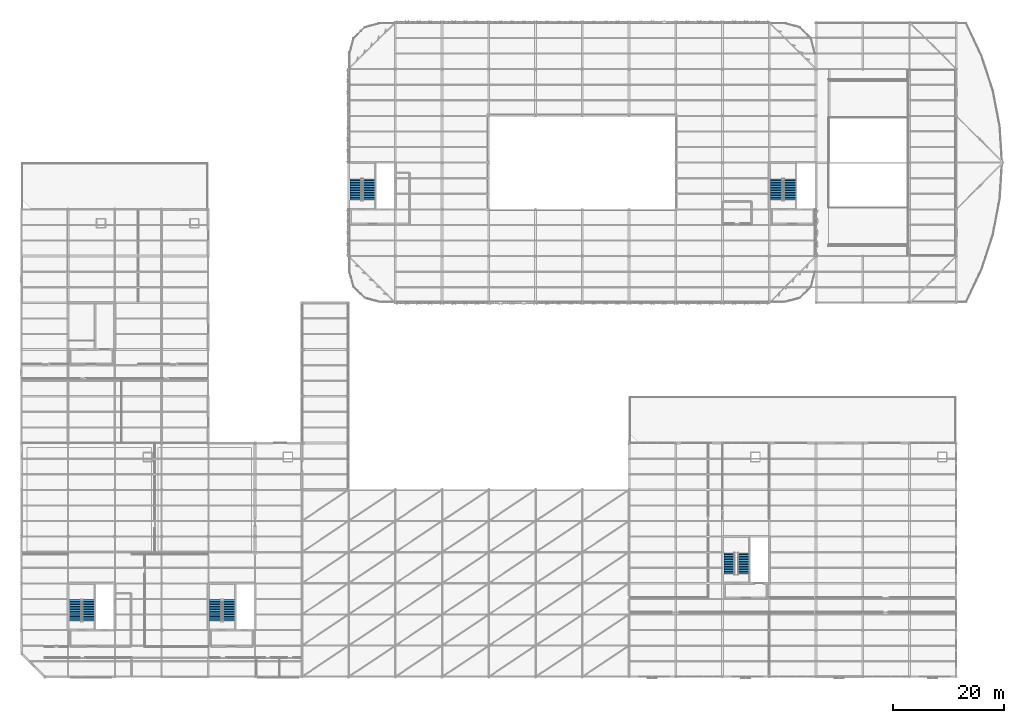
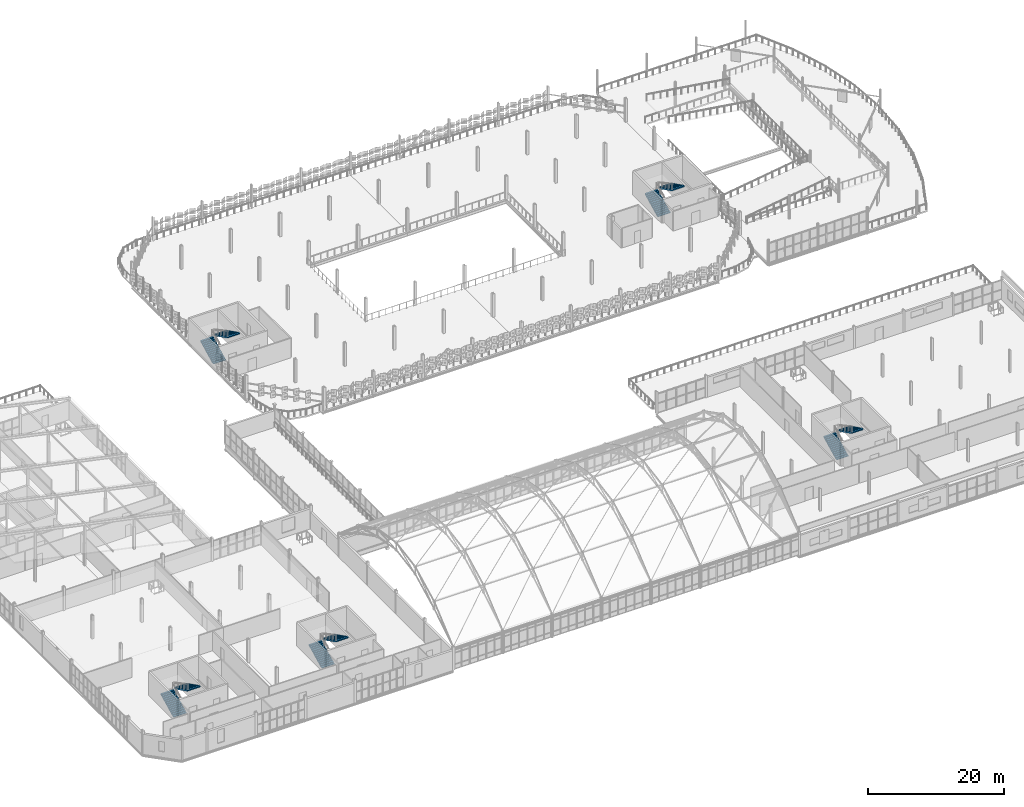
# One storey, part 160 of 184: 10 stair flights, 5 elements without a shape of their own.
"""IFC4 building model written with IfcOpenShell, lengths in metres."""

from ifc_helpers import new_model, si_unit, direction, frame, origin, place, context, subcontext, project, spatial, polyline, outline, extrude, material, type_object, element, aggregate, save


model = new_model("IFC4")

# Units and contexts
model_context = context("Model", 3, precision=1e-05, world=origin(), true_north=direction((0.0, 1.0)))
body_context = subcontext(model_context, "Body", "Model", "MODEL_VIEW")
ifc_project = project(units=[si_unit("LENGTHUNIT", "METRE"), si_unit("AREAUNIT", "SQUARE_METRE"), si_unit("VOLUMEUNIT", "CUBIC_METRE"), si_unit("PLANEANGLEUNIT", "RADIAN"), si_unit("MASSUNIT", "GRAM", prefix="KILO")], contexts=[model_context])

# Site, building, storey
site_placement = place(None, origin())
site = spatial("IfcSite", under=ifc_project, at=site_placement, CompositionType="ELEMENT")
building_placement = place(site_placement, origin())
building = spatial("IfcBuilding", under=site, at=building_placement, Name="Qalvenar Corner Mobility Hub", CompositionType="ELEMENT")
storey_placement = place(building_placement, frame((0.0, 0.0, 9.0)))
storey = spatial("IfcBuildingStorey", under=building, at=storey_placement, Name="L02", CompositionType="ELEMENT", Elevation=9.0)

# Stair, stair flights
ifc_material = material(Name="Concrete C35/45", Category="concrete")
stair_type_1 = type_object("IfcStairType", Name="STR-200-H42", PredefinedType="HALF_TURN_STAIR", material=ifc_material)
stair_1_placement = place(storey_placement, origin())
stair_1 = element("IfcStair", 1, at=stair_1_placement, inside=storey, type_object=stair_type_1, Name="Exit Stair ST2 L02-L03", PredefinedType="HALF_TURN_STAIR")
stair_flight_type_1 = type_object("IfcStairFlightType", Name="SFL-200-R14", PredefinedType="STRAIGHT", material=ifc_material)
stair_flight_1_placement = place(storey_placement, frame((34.89501953125, 9.949951171875, 0.0), z_axis=(0.0, 0.0, 1.0), x_axis=(0.0, 1.0, 0.0)))
stair_flight_1 = element("IfcStairFlight", 2, at=stair_flight_1_placement, type_object=stair_flight_type_1, Name="ST2 flight 1", NumberOfRisers=14, NumberOfTreads=13, PredefinedType="STRAIGHT", RiserHeight=0.15, TreadLength=0.3, context=body_context, shape_type="SweptSolid", body=[
    extrude(outline(polyline([(0.0, 0.0), (0.0, 0.14990234375), (0.300048828125, 0.14990234375), (0.300048828125, 0.300048828125), (0.60009765625, 0.300048828125), (0.60009765625, 0.449951171875), (0.89990234375, 0.449951171875), (0.89990234375, 0.60009765625), (1.199951171875, 0.60009765625), (1.199951171875, 0.75), (1.5, 0.75), (1.5, 0.89990234375), (1.800048828125, 0.89990234375), (1.800048828125, 1.050048828125), (2.10009765625, 1.050048828125), (2.10009765625, 1.199951171875), (2.39990234375, 1.199951171875), (2.39990234375, 1.35009765625), (2.699951171875, 1.35009765625), (2.699951171875, 1.5), (3.0, 1.5), (3.0, 1.64990234375), (3.300048828125, 1.64990234375), (3.300048828125, 1.800048828125), (3.60009765625, 1.800048828125), (3.60009765625, 1.949951171875), (3.89990234375, 1.949951171875), (3.89990234375, 2.10009765625), (3.89990234375, 1.748779296875), (0.40234375, 0.0), (0.0, 0.0)])), frame((0.0, 1.074951171875, 0.0), z_axis=(0.0, -1.0, 0.0), x_axis=(1.0, 0.0, 0.0)), (0.0, 0.0, 1.0), 2.14990234375),
])
stair_flight_2_placement = place(storey_placement, frame((37.284912109375, 13.85009765625, 2.10009765625), z_axis=(0.0, 0.0, 1.0), x_axis=(0.0, -1.0, 0.0)))
stair_flight_2 = element("IfcStairFlight", 3, at=stair_flight_2_placement, type_object=stair_flight_type_1, Name="ST2 flight 2", NumberOfRisers=14, NumberOfTreads=13, PredefinedType="STRAIGHT", RiserHeight=0.15, TreadLength=0.3, context=body_context, shape_type="SweptSolid", body=[
    extrude(outline(polyline([(0.0, 0.0), (0.0, 0.14990234375), (0.300048828125, 0.14990234375), (0.300048828125, 0.300048828125), (0.60009765625, 0.300048828125), (0.60009765625, 0.449951171875), (0.89990234375, 0.449951171875), (0.89990234375, 0.60009765625), (1.199951171875, 0.60009765625), (1.199951171875, 0.75), (1.5, 0.75), (1.5, 0.89990234375), (1.800048828125, 0.89990234375), (1.800048828125, 1.050048828125), (2.10009765625, 1.050048828125), (2.10009765625, 1.199951171875), (2.39990234375, 1.199951171875), (2.39990234375, 1.35009765625), (2.699951171875, 1.35009765625), (2.699951171875, 1.5), (3.0, 1.5), (3.0, 1.64990234375), (3.300048828125, 1.64990234375), (3.300048828125, 1.800048828125), (3.60009765625, 1.800048828125), (3.60009765625, 1.949951171875), (3.89990234375, 1.949951171875), (3.89990234375, 2.10009765625), (3.89990234375, 1.748779296875), (0.40234375, 0.0), (0.0, 0.0)])), frame((0.0, 1.074951171875, 0.0), z_axis=(0.0, -1.0, 0.0), x_axis=(1.0, 0.0, 0.0)), (0.0, 0.0, 1.0), 2.14990234375),
])
aggregate(stair_1, [stair_flight_1, stair_flight_2])

stair_2_placement = place(storey_placement, origin())
stair_2 = element("IfcStair", 4, at=stair_2_placement, inside=storey, type_object=stair_type_1, Name="Exit Stair ST3 L02-L03", PredefinedType="HALF_TURN_STAIR")
stair_flight_3_placement = place(storey_placement, frame((60.094970703125, 85.550048828125, 0.0), z_axis=(0.0, 0.0, 1.0), x_axis=(0.0, 1.0, 0.0)))
stair_flight_3 = element("IfcStairFlight", 5, at=stair_flight_3_placement, type_object=stair_flight_type_1, Name="ST3 flight 1", NumberOfRisers=14, NumberOfTreads=13, PredefinedType="STRAIGHT", RiserHeight=0.15, TreadLength=0.3, context=body_context, shape_type="SweptSolid", body=[
    extrude(outline(polyline([(0.0, 0.0), (0.0, 0.14990234375), (0.300048828125, 0.14990234375), (0.300048828125, 0.300048828125), (0.60009765625, 0.300048828125), (0.60009765625, 0.449951171875), (0.89990234375, 0.449951171875), (0.89990234375, 0.60009765625), (1.199951171875, 0.60009765625), (1.199951171875, 0.75), (1.5, 0.75), (1.5, 0.89990234375), (1.800048828125, 0.89990234375), (1.800048828125, 1.050048828125), (2.10009765625, 1.050048828125), (2.10009765625, 1.199951171875), (2.39990234375, 1.199951171875), (2.39990234375, 1.35009765625), (2.699951171875, 1.35009765625), (2.699951171875, 1.5), (3.0, 1.5), (3.0, 1.64990234375), (3.300048828125, 1.64990234375), (3.300048828125, 1.800048828125), (3.60009765625, 1.800048828125), (3.60009765625, 1.949951171875), (3.89990234375, 1.949951171875), (3.89990234375, 2.10009765625), (3.89990234375, 1.748779296875), (0.40234375, 0.0), (0.0, 0.0)])), frame((0.0, 1.074951171875, 0.0), z_axis=(0.0, -1.0, 0.0), x_axis=(1.0, 0.0, 0.0)), (0.0, 0.0, 1.0), 2.14990234375),
])
stair_flight_4_placement = place(storey_placement, frame((62.485107421875, 89.449951171875, 2.10009765625), z_axis=(0.0, 0.0, 1.0), x_axis=(0.0, -1.0, 0.0)))
stair_flight_4 = element("IfcStairFlight", 6, at=stair_flight_4_placement, type_object=stair_flight_type_1, Name="ST3 flight 2", NumberOfRisers=14, NumberOfTreads=13, PredefinedType="STRAIGHT", RiserHeight=0.15, TreadLength=0.3, context=body_context, shape_type="SweptSolid", body=[
    extrude(outline(polyline([(0.0, 0.0), (0.0, 0.14990234375), (0.300048828125, 0.14990234375), (0.300048828125, 0.300048828125), (0.60009765625, 0.300048828125), (0.60009765625, 0.449951171875), (0.89990234375, 0.449951171875), (0.89990234375, 0.60009765625), (1.199951171875, 0.60009765625), (1.199951171875, 0.75), (1.5, 0.75), (1.5, 0.89990234375), (1.800048828125, 0.89990234375), (1.800048828125, 1.050048828125), (2.10009765625, 1.050048828125), (2.10009765625, 1.199951171875), (2.39990234375, 1.199951171875), (2.39990234375, 1.35009765625), (2.699951171875, 1.35009765625), (2.699951171875, 1.5), (3.0, 1.5), (3.0, 1.64990234375), (3.300048828125, 1.64990234375), (3.300048828125, 1.800048828125), (3.60009765625, 1.800048828125), (3.60009765625, 1.949951171875), (3.89990234375, 1.949951171875), (3.89990234375, 2.10009765625), (3.89990234375, 1.748779296875), (0.40234375, 0.0), (0.0, 0.0)])), frame((0.0, 1.074951171875, 0.0), z_axis=(0.0, -1.0, 0.0), x_axis=(1.0, 0.0, 0.0)), (0.0, 0.0, 1.0), 2.14990234375),
])
aggregate(stair_2, [stair_flight_3, stair_flight_4])

stair_3_placement = place(storey_placement, origin())
stair_3 = element("IfcStair", 7, at=stair_3_placement, inside=storey, type_object=stair_type_1, Name="Exit Stair ST4 L02-L03", PredefinedType="HALF_TURN_STAIR")
stair_flight_5_placement = place(storey_placement, frame((135.695068359375, 85.550048828125, 0.0), z_axis=(0.0, 0.0, 1.0), x_axis=(0.0, 1.0, 0.0)))
stair_flight_5 = element("IfcStairFlight", 8, at=stair_flight_5_placement, type_object=stair_flight_type_1, Name="ST4 flight 1", NumberOfRisers=14, NumberOfTreads=13, PredefinedType="STRAIGHT", RiserHeight=0.15, TreadLength=0.3, context=body_context, shape_type="SweptSolid", body=[
    extrude(outline(polyline([(0.0, 0.0), (0.0, 0.14990234375), (0.300048828125, 0.14990234375), (0.300048828125, 0.300048828125), (0.60009765625, 0.300048828125), (0.60009765625, 0.449951171875), (0.89990234375, 0.449951171875), (0.89990234375, 0.60009765625), (1.199951171875, 0.60009765625), (1.199951171875, 0.75), (1.5, 0.75), (1.5, 0.89990234375), (1.800048828125, 0.89990234375), (1.800048828125, 1.050048828125), (2.10009765625, 1.050048828125), (2.10009765625, 1.199951171875), (2.39990234375, 1.199951171875), (2.39990234375, 1.35009765625), (2.699951171875, 1.35009765625), (2.699951171875, 1.5), (3.0, 1.5), (3.0, 1.64990234375), (3.300048828125, 1.64990234375), (3.300048828125, 1.800048828125), (3.60009765625, 1.800048828125), (3.60009765625, 1.949951171875), (3.89990234375, 1.949951171875), (3.89990234375, 2.10009765625), (3.89990234375, 1.748779296875), (0.40234375, 0.0), (0.0, 0.0)])), frame((0.0, 1.074951171875, 0.0), z_axis=(0.0, -1.0, 0.0), x_axis=(1.0, 0.0, 0.0)), (0.0, 0.0, 1.0), 2.14990234375),
])
stair_flight_6_placement = place(storey_placement, frame((138.0849609375, 89.449951171875, 2.10009765625), z_axis=(0.0, 0.0, 1.0), x_axis=(0.0, -1.0, 0.0)))
stair_flight_6 = element("IfcStairFlight", 9, at=stair_flight_6_placement, type_object=stair_flight_type_1, Name="ST4 flight 2", NumberOfRisers=14, NumberOfTreads=13, PredefinedType="STRAIGHT", RiserHeight=0.15, TreadLength=0.3, context=body_context, shape_type="SweptSolid", body=[
    extrude(outline(polyline([(0.0, 0.0), (0.0, 0.14990234375), (0.300048828125, 0.14990234375), (0.300048828125, 0.300048828125), (0.60009765625, 0.300048828125), (0.60009765625, 0.449951171875), (0.89990234375, 0.449951171875), (0.89990234375, 0.60009765625), (1.199951171875, 0.60009765625), (1.199951171875, 0.75), (1.5, 0.75), (1.5, 0.89990234375), (1.800048828125, 0.89990234375), (1.800048828125, 1.050048828125), (2.10009765625, 1.050048828125), (2.10009765625, 1.199951171875), (2.39990234375, 1.199951171875), (2.39990234375, 1.35009765625), (2.699951171875, 1.35009765625), (2.699951171875, 1.5), (3.0, 1.5), (3.0, 1.64990234375), (3.300048828125, 1.64990234375), (3.300048828125, 1.800048828125), (3.60009765625, 1.800048828125), (3.60009765625, 1.949951171875), (3.89990234375, 1.949951171875), (3.89990234375, 2.10009765625), (3.89990234375, 1.748779296875), (0.40234375, 0.0), (0.0, 0.0)])), frame((0.0, 1.074951171875, 0.0), z_axis=(0.0, -1.0, 0.0), x_axis=(1.0, 0.0, 0.0)), (0.0, 0.0, 1.0), 2.14990234375),
])
aggregate(stair_3, [stair_flight_5, stair_flight_6])

stair_4_placement = place(storey_placement, origin())
stair_4 = element("IfcStair", 10, at=stair_4_placement, inside=storey, type_object=stair_type_1, Name="Exit Stair ST6 L02-L03", PredefinedType="HALF_TURN_STAIR")
stair_flight_7_placement = place(storey_placement, frame((127.219970703125, 18.35009765625, 0.0), z_axis=(0.0, 0.0, 1.0), x_axis=(0.0, 1.0, 0.0)))
stair_flight_7 = element("IfcStairFlight", 11, at=stair_flight_7_placement, type_object=stair_flight_type_1, Name="ST6 flight 1", NumberOfRisers=14, NumberOfTreads=13, PredefinedType="STRAIGHT", RiserHeight=0.15, TreadLength=0.3, context=body_context, shape_type="SweptSolid", body=[
    extrude(outline(polyline([(0.0, 0.0), (0.0, 0.14990234375), (0.300048828125, 0.14990234375), (0.300048828125, 0.300048828125), (0.60009765625, 0.300048828125), (0.60009765625, 0.449951171875), (0.89990234375, 0.449951171875), (0.89990234375, 0.60009765625), (1.199951171875, 0.60009765625), (1.199951171875, 0.75), (1.5, 0.75), (1.5, 0.89990234375), (1.800048828125, 0.89990234375), (1.800048828125, 1.050048828125), (2.10009765625, 1.050048828125), (2.10009765625, 1.199951171875), (2.39990234375, 1.199951171875), (2.39990234375, 1.35009765625), (2.699951171875, 1.35009765625), (2.699951171875, 1.5), (3.0, 1.5), (3.0, 1.64990234375), (3.300048828125, 1.64990234375), (3.300048828125, 1.800048828125), (3.60009765625, 1.800048828125), (3.60009765625, 1.949951171875), (3.89990234375, 1.949951171875), (3.89990234375, 2.10009765625), (3.89990234375, 1.748779296875), (0.40234375, 0.0), (0.0, 0.0)])), frame((0.0, 1.0, 0.0), z_axis=(0.0, -1.0, 0.0), x_axis=(1.0, 0.0, 0.0)), (0.0, 0.0, 1.0), 2.0),
])
stair_flight_8_placement = place(storey_placement, frame((129.760009765625, 22.25, 2.10009765625), z_axis=(0.0, 0.0, 1.0), x_axis=(0.0, -1.0, 0.0)))
stair_flight_8 = element("IfcStairFlight", 12, at=stair_flight_8_placement, type_object=stair_flight_type_1, Name="ST6 flight 2", NumberOfRisers=14, NumberOfTreads=13, PredefinedType="STRAIGHT", RiserHeight=0.15, TreadLength=0.3, context=body_context, shape_type="SweptSolid", body=[
    extrude(outline(polyline([(0.0, 0.0), (0.0, 0.14990234375), (0.300048828125, 0.14990234375), (0.300048828125, 0.300048828125), (0.60009765625, 0.300048828125), (0.60009765625, 0.449951171875), (0.89990234375, 0.449951171875), (0.89990234375, 0.60009765625), (1.199951171875, 0.60009765625), (1.199951171875, 0.75), (1.5, 0.75), (1.5, 0.89990234375), (1.800048828125, 0.89990234375), (1.800048828125, 1.050048828125), (2.10009765625, 1.050048828125), (2.10009765625, 1.199951171875), (2.39990234375, 1.199951171875), (2.39990234375, 1.35009765625), (2.699951171875, 1.35009765625), (2.699951171875, 1.5), (3.0, 1.5), (3.0, 1.64990234375), (3.300048828125, 1.64990234375), (3.300048828125, 1.800048828125), (3.60009765625, 1.800048828125), (3.60009765625, 1.949951171875), (3.89990234375, 1.949951171875), (3.89990234375, 2.10009765625), (3.89990234375, 1.748779296875), (0.40234375, 0.0), (0.0, 0.0)])), frame((0.0, 1.0, 0.0), z_axis=(0.0, -1.0, 0.0), x_axis=(1.0, 0.0, 0.0)), (0.0, 0.0, 1.0), 2.0),
])
aggregate(stair_4, [stair_flight_7, stair_flight_8])

stair_type_2 = type_object("IfcStairType", Name="STR-220-H42", PredefinedType="HALF_TURN_STAIR", material=ifc_material)
stair_5_placement = place(storey_placement, origin())
stair_5 = element("IfcStair", 13, at=stair_5_placement, inside=storey, type_object=stair_type_2, Name="Exit Stair ST1 L02-L03", PredefinedType="HALF_TURN_STAIR")
stair_flight_type_2 = type_object("IfcStairFlightType", Name="SFL-220-R14", PredefinedType="STRAIGHT", material=ifc_material)
stair_flight_9_placement = place(storey_placement, frame((9.719970703125, 9.949951171875, 0.0), z_axis=(0.0, 0.0, 1.0), x_axis=(0.0, 1.0, 0.0)))
stair_flight_9 = element("IfcStairFlight", 14, at=stair_flight_9_placement, type_object=stair_flight_type_2, Name="ST1 flight 1", NumberOfRisers=14, NumberOfTreads=13, PredefinedType="STRAIGHT", RiserHeight=0.15, TreadLength=0.3, context=body_context, shape_type="SweptSolid", body=[
    extrude(outline(polyline([(0.0, 0.0), (0.0, 0.14990234375), (0.300048828125, 0.14990234375), (0.300048828125, 0.300048828125), (0.60009765625, 0.300048828125), (0.60009765625, 0.449951171875), (0.89990234375, 0.449951171875), (0.89990234375, 0.60009765625), (1.199951171875, 0.60009765625), (1.199951171875, 0.75), (1.5, 0.75), (1.5, 0.89990234375), (1.800048828125, 0.89990234375), (1.800048828125, 1.050048828125), (2.10009765625, 1.050048828125), (2.10009765625, 1.199951171875), (2.39990234375, 1.199951171875), (2.39990234375, 1.35009765625), (2.699951171875, 1.35009765625), (2.699951171875, 1.5), (3.0, 1.5), (3.0, 1.64990234375), (3.300048828125, 1.64990234375), (3.300048828125, 1.800048828125), (3.60009765625, 1.800048828125), (3.60009765625, 1.949951171875), (3.89990234375, 1.949951171875), (3.89990234375, 2.10009765625), (3.89990234375, 1.748779296875), (0.40234375, 0.0), (0.0, 0.0)])), frame((0.0, 1.10009765625, 0.0), z_axis=(0.0, -1.0, 0.0), x_axis=(1.0, 0.0, 0.0)), (0.0, 0.0, 1.0), 2.199951171875),
])
stair_flight_10_placement = place(storey_placement, frame((12.06005859375, 13.85009765625, 2.10009765625), z_axis=(0.0, 0.0, 1.0), x_axis=(0.0, -1.0, 0.0)))
stair_flight_10 = element("IfcStairFlight", 15, at=stair_flight_10_placement, type_object=stair_flight_type_2, Name="ST1 flight 2", NumberOfRisers=14, NumberOfTreads=13, PredefinedType="STRAIGHT", RiserHeight=0.15, TreadLength=0.3, context=body_context, shape_type="SweptSolid", body=[
    extrude(outline(polyline([(0.0, 0.0), (0.0, 0.14990234375), (0.300048828125, 0.14990234375), (0.300048828125, 0.300048828125), (0.60009765625, 0.300048828125), (0.60009765625, 0.449951171875), (0.89990234375, 0.449951171875), (0.89990234375, 0.60009765625), (1.199951171875, 0.60009765625), (1.199951171875, 0.75), (1.5, 0.75), (1.5, 0.89990234375), (1.800048828125, 0.89990234375), (1.800048828125, 1.050048828125), (2.10009765625, 1.050048828125), (2.10009765625, 1.199951171875), (2.39990234375, 1.199951171875), (2.39990234375, 1.35009765625), (2.699951171875, 1.35009765625), (2.699951171875, 1.5), (3.0, 1.5), (3.0, 1.64990234375), (3.300048828125, 1.64990234375), (3.300048828125, 1.800048828125), (3.60009765625, 1.800048828125), (3.60009765625, 1.949951171875), (3.89990234375, 1.949951171875), (3.89990234375, 2.10009765625), (3.89990234375, 1.748779296875), (0.40234375, 0.0), (0.0, 0.0)])), frame((0.0, 1.10009765625, 0.0), z_axis=(0.0, -1.0, 0.0), x_axis=(1.0, 0.0, 0.0)), (0.0, 0.0, 1.0), 2.199951171875),
])
aggregate(stair_5, [stair_flight_9, stair_flight_10])

save(model, "model.ifc")
